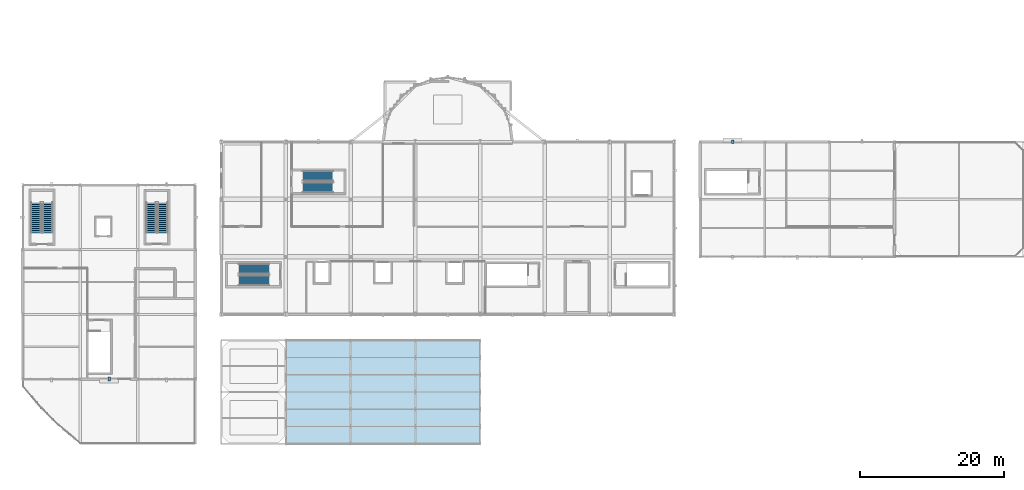
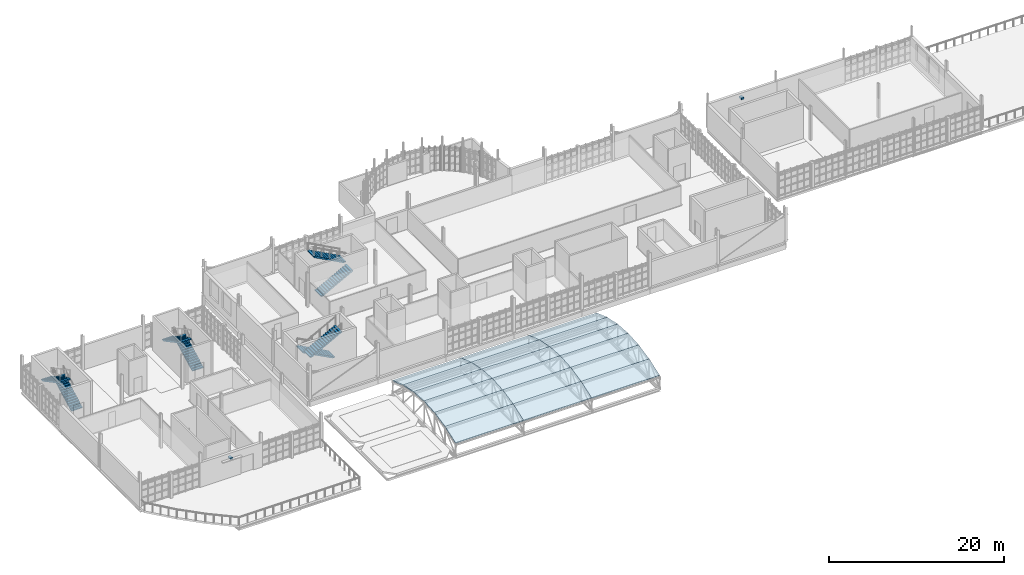
# One storey, part 119 of 128: 18 roofs, 8 stair flights, 2 discrete accessories, 4 elements without a shape of their own.
"""IFC4 building model written with IfcOpenShell, lengths in metres."""

from ifc_helpers import new_model, si_unit, direction, frame, origin, origin_2d, place, context, subcontext, project, spatial, polyline, rectangle, outline, extrude, material, layer, layer_set, type_object, element, aggregate, save


model = new_model("IFC4")

# Units and contexts
model_context = context("Model", 3, precision=1e-05, world=origin(), true_north=direction((0.0, 1.0)))
body_context = subcontext(model_context, "Body", "Model", "MODEL_VIEW")
ifc_project = project(units=[si_unit("LENGTHUNIT", "METRE"), si_unit("AREAUNIT", "SQUARE_METRE"), si_unit("VOLUMEUNIT", "CUBIC_METRE"), si_unit("PLANEANGLEUNIT", "RADIAN"), si_unit("MASSUNIT", "GRAM", prefix="KILO")], contexts=[model_context])

# Site, building, storey
site_placement = place(None, origin())
site = spatial("IfcSite", under=ifc_project, at=site_placement, CompositionType="ELEMENT")
building_placement = place(site_placement, origin())
building = spatial("IfcBuilding", under=site, at=building_placement, Name="Serraforn Aerial Cableway Station", CompositionType="ELEMENT")
storey_placement = place(building_placement, frame((0.0, 0.0, 9.0)))
storey = spatial("IfcBuildingStorey", under=building, at=storey_placement, Name="L02", CompositionType="ELEMENT", Elevation=9.0)

# Stair, stair flights
ifc_material_1 = material(Name="Concrete C35/45", Category="concrete")
stair_type_1 = type_object("IfcStairType", Name="STR-DL-1", PredefinedType="HALF_TURN_STAIR", material=ifc_material_1)
stair_1_placement = place(storey_placement, origin())
stair_1 = element("IfcStair", 1, at=stair_1_placement, inside=storey, type_object=stair_type_1, Name="L02 West Wing North Exit Stair 1", PredefinedType="HALF_TURN_STAIR")
stair_flight_type_1 = type_object("IfcStairFlightType", Name="SFL-DL-1", PredefinedType="STRAIGHT", material=ifc_material_1)
stair_flight_1_placement = place(storey_placement, frame((3.47509765625, 29.35009765625, 0.0), z_axis=(0.0, 0.0, 1.0), x_axis=(0.0, 1.0, 0.0)))
stair_flight_1 = element("IfcStairFlight", 2, at=stair_flight_1_placement, type_object=stair_flight_type_1, Name="ST-01 flight 1", NumberOfRisers=16, NumberOfTreads=15, PredefinedType="STRAIGHT", RiserHeight=0.15, TreadLength=0.28, context=body_context, shape_type="SweptSolid", body=[
    extrude(outline(polyline([(0.0, 0.0), (0.0, 0.14990234375), (0.280029296875, 0.14990234375), (0.280029296875, 0.300048828125), (0.56005859375, 0.300048828125), (0.56005859375, 0.449951171875), (0.840087890625, 0.449951171875), (0.840087890625, 0.60009765625), (1.1201171875, 0.60009765625), (1.1201171875, 0.75), (1.39990234375, 0.75), (1.39990234375, 0.89990234375), (1.679931640625, 0.89990234375), (1.679931640625, 1.050048828125), (1.9599609375, 1.050048828125), (1.9599609375, 1.199951171875), (2.239990234375, 1.199951171875), (2.239990234375, 1.35009765625), (2.52001953125, 1.35009765625), (2.52001953125, 1.5), (2.800048828125, 1.5), (2.800048828125, 1.64990234375), (3.080078125, 1.64990234375), (3.080078125, 1.800048828125), (3.360107421875, 1.800048828125), (3.360107421875, 1.949951171875), (3.639892578125, 1.949951171875), (3.639892578125, 2.10009765625), (3.919921875, 2.10009765625), (3.919921875, 2.25), (4.199951171875, 2.25), (4.199951171875, 2.39990234375), (4.199951171875, 2.079833984375), (0.3173828125, 0.0), (0.0, 0.0)])), frame((0.0, 0.72509765625, 0.0), z_axis=(0.0, -1.0, 0.0), x_axis=(1.0, 0.0, 0.0)), (0.0, 0.0, 1.0), 1.449951171875),
])
stair_flight_2_placement = place(storey_placement, frame((1.864990234375, 33.550048828125, 2.39990234375), z_axis=(0.0, 0.0, 1.0), x_axis=(0.0, -1.0, 0.0)))
stair_flight_2 = element("IfcStairFlight", 3, at=stair_flight_2_placement, type_object=stair_flight_type_1, Name="ST-01 flight 2", NumberOfRisers=16, NumberOfTreads=15, PredefinedType="STRAIGHT", RiserHeight=0.15, TreadLength=0.28, context=body_context, shape_type="SweptSolid", body=[
    extrude(outline(polyline([(0.0, 0.0), (0.0, 0.14990234375), (0.280029296875, 0.14990234375), (0.280029296875, 0.300048828125), (0.56005859375, 0.300048828125), (0.56005859375, 0.449951171875), (0.840087890625, 0.449951171875), (0.840087890625, 0.60009765625), (1.1201171875, 0.60009765625), (1.1201171875, 0.75), (1.39990234375, 0.75), (1.39990234375, 0.89990234375), (1.679931640625, 0.89990234375), (1.679931640625, 1.050048828125), (1.9599609375, 1.050048828125), (1.9599609375, 1.199951171875), (2.239990234375, 1.199951171875), (2.239990234375, 1.35009765625), (2.52001953125, 1.35009765625), (2.52001953125, 1.5), (2.800048828125, 1.5), (2.800048828125, 1.64990234375), (3.080078125, 1.64990234375), (3.080078125, 1.800048828125), (3.360107421875, 1.800048828125), (3.360107421875, 1.949951171875), (3.639892578125, 1.949951171875), (3.639892578125, 2.10009765625), (3.919921875, 2.10009765625), (3.919921875, 2.25), (4.199951171875, 2.25), (4.199951171875, 2.39990234375), (4.199951171875, 2.079833984375), (0.3173828125, 0.0), (0.0, 0.0)])), frame((0.0, 0.72509765625, 0.0), z_axis=(0.0, -1.0, 0.0), x_axis=(1.0, 0.0, 0.0)), (0.0, 0.0, 1.0), 1.449951171875),
])
aggregate(stair_1, [stair_flight_1, stair_flight_2])

stair_2_placement = place(storey_placement, origin())
stair_2 = element("IfcStair", 4, at=stair_2_placement, inside=storey, type_object=stair_type_1, Name="L02 Vault West Protected Exit Stair 3", PredefinedType="HALF_TURN_STAIR")
stair_flight_3_placement = place(storey_placement, frame((34.25, 24.3349609375, 0.0), z_axis=(0.0, 0.0, 1.0), x_axis=(-1.0, 0.0, 0.0)))
stair_flight_3 = element("IfcStairFlight", 5, at=stair_flight_3_placement, type_object=stair_flight_type_1, Name="ST-03 flight 1", NumberOfRisers=16, NumberOfTreads=15, PredefinedType="STRAIGHT", RiserHeight=0.15, TreadLength=0.28, context=body_context, shape_type="SweptSolid", body=[
    extrude(outline(polyline([(0.0, 0.0), (0.0, 0.14990234375), (0.280029296875, 0.14990234375), (0.280029296875, 0.300048828125), (0.56005859375, 0.300048828125), (0.56005859375, 0.449951171875), (0.840087890625, 0.449951171875), (0.840087890625, 0.60009765625), (1.1201171875, 0.60009765625), (1.1201171875, 0.75), (1.39990234375, 0.75), (1.39990234375, 0.89990234375), (1.679931640625, 0.89990234375), (1.679931640625, 1.050048828125), (1.9599609375, 1.050048828125), (1.9599609375, 1.199951171875), (2.239990234375, 1.199951171875), (2.239990234375, 1.35009765625), (2.52001953125, 1.35009765625), (2.52001953125, 1.5), (2.800048828125, 1.5), (2.800048828125, 1.64990234375), (3.080078125, 1.64990234375), (3.080078125, 1.800048828125), (3.360107421875, 1.800048828125), (3.360107421875, 1.949951171875), (3.639892578125, 1.949951171875), (3.639892578125, 2.10009765625), (3.919921875, 2.10009765625), (3.919921875, 2.25), (4.199951171875, 2.25), (4.199951171875, 2.39990234375), (4.199951171875, 2.079833984375), (0.3173828125, 0.0), (0.0, 0.0)])), frame((0.0, 0.72509765625, 0.0), z_axis=(0.0, -1.0, 0.0), x_axis=(1.0, 0.0, 0.0)), (0.0, 0.0, 1.0), 1.449951171875),
])
stair_flight_4_placement = place(storey_placement, frame((30.050048828125, 22.72509765625, 2.39990234375), z_axis=(0.0, 0.0, 1.0), x_axis=(1.0, 0.0, 0.0)))
stair_flight_4 = element("IfcStairFlight", 6, at=stair_flight_4_placement, type_object=stair_flight_type_1, Name="ST-03 flight 2", NumberOfRisers=16, NumberOfTreads=15, PredefinedType="STRAIGHT", RiserHeight=0.15, TreadLength=0.28, context=body_context, shape_type="SweptSolid", body=[
    extrude(outline(polyline([(0.0, 0.0), (0.0, 0.14990234375), (0.280029296875, 0.14990234375), (0.280029296875, 0.300048828125), (0.56005859375, 0.300048828125), (0.56005859375, 0.449951171875), (0.840087890625, 0.449951171875), (0.840087890625, 0.60009765625), (1.1201171875, 0.60009765625), (1.1201171875, 0.75), (1.39990234375, 0.75), (1.39990234375, 0.89990234375), (1.679931640625, 0.89990234375), (1.679931640625, 1.050048828125), (1.9599609375, 1.050048828125), (1.9599609375, 1.199951171875), (2.239990234375, 1.199951171875), (2.239990234375, 1.35009765625), (2.52001953125, 1.35009765625), (2.52001953125, 1.5), (2.800048828125, 1.5), (2.800048828125, 1.64990234375), (3.080078125, 1.64990234375), (3.080078125, 1.800048828125), (3.360107421875, 1.800048828125), (3.360107421875, 1.949951171875), (3.639892578125, 1.949951171875), (3.639892578125, 2.10009765625), (3.919921875, 2.10009765625), (3.919921875, 2.25), (4.199951171875, 2.25), (4.199951171875, 2.39990234375), (4.199951171875, 2.079833984375), (0.3173828125, 0.0), (0.0, 0.0)])), frame((0.0, 0.72509765625, 0.0), z_axis=(0.0, -1.0, 0.0), x_axis=(1.0, 0.0, 0.0)), (0.0, 0.0, 1.0), 1.449951171875),
])
aggregate(stair_2, [stair_flight_3, stair_flight_4])

stair_type_2 = type_object("IfcStairType", Name="STR-DL-2", PredefinedType="HALF_TURN_STAIR", material=ifc_material_1)
stair_3_placement = place(storey_placement, origin())
stair_3 = element("IfcStair", 7, at=stair_3_placement, inside=storey, type_object=stair_type_2, Name="L02 West Wing East Exit Stair 2", PredefinedType="HALF_TURN_STAIR")
stair_flight_type_2 = type_object("IfcStairFlightType", Name="SFL-DL-2", PredefinedType="STRAIGHT", material=ifc_material_1)
stair_flight_5_placement = place(storey_placement, frame((19.47509765625, 29.35009765625, 0.0), z_axis=(0.0, 0.0, 1.0), x_axis=(0.0, 1.0, 0.0)))
stair_flight_5 = element("IfcStairFlight", 8, at=stair_flight_5_placement, type_object=stair_flight_type_2, Name="ST-02 flight 1", NumberOfRisers=16, NumberOfTreads=15, PredefinedType="STRAIGHT", RiserHeight=0.15, TreadLength=0.28, context=body_context, shape_type="SweptSolid", body=[
    extrude(outline(polyline([(0.0, 0.0), (0.0, 0.14990234375), (0.280029296875, 0.14990234375), (0.280029296875, 0.300048828125), (0.56005859375, 0.300048828125), (0.56005859375, 0.449951171875), (0.840087890625, 0.449951171875), (0.840087890625, 0.60009765625), (1.1201171875, 0.60009765625), (1.1201171875, 0.75), (1.39990234375, 0.75), (1.39990234375, 0.89990234375), (1.679931640625, 0.89990234375), (1.679931640625, 1.050048828125), (1.9599609375, 1.050048828125), (1.9599609375, 1.199951171875), (2.239990234375, 1.199951171875), (2.239990234375, 1.35009765625), (2.52001953125, 1.35009765625), (2.52001953125, 1.5), (2.800048828125, 1.5), (2.800048828125, 1.64990234375), (3.080078125, 1.64990234375), (3.080078125, 1.800048828125), (3.360107421875, 1.800048828125), (3.360107421875, 1.949951171875), (3.639892578125, 1.949951171875), (3.639892578125, 2.10009765625), (3.919921875, 2.10009765625), (3.919921875, 2.25), (4.199951171875, 2.25), (4.199951171875, 2.39990234375), (4.199951171875, 2.079833984375), (0.3173828125, 0.0), (0.0, 0.0)])), frame((0.0, 0.72509765625, 0.0), z_axis=(0.0, -1.0, 0.0), x_axis=(1.0, 0.0, 0.0)), (0.0, 0.0, 1.0), 1.449951171875),
])
stair_flight_6_placement = place(storey_placement, frame((17.864990234375, 33.550048828125, 2.39990234375), z_axis=(0.0, 0.0, 1.0), x_axis=(0.0, -1.0, 0.0)))
stair_flight_6 = element("IfcStairFlight", 9, at=stair_flight_6_placement, type_object=stair_flight_type_2, Name="ST-02 flight 2", NumberOfRisers=16, NumberOfTreads=15, PredefinedType="STRAIGHT", RiserHeight=0.15, TreadLength=0.28, context=body_context, shape_type="SweptSolid", body=[
    extrude(outline(polyline([(0.0, 0.0), (0.0, 0.14990234375), (0.280029296875, 0.14990234375), (0.280029296875, 0.300048828125), (0.56005859375, 0.300048828125), (0.56005859375, 0.449951171875), (0.840087890625, 0.449951171875), (0.840087890625, 0.60009765625), (1.1201171875, 0.60009765625), (1.1201171875, 0.75), (1.39990234375, 0.75), (1.39990234375, 0.89990234375), (1.679931640625, 0.89990234375), (1.679931640625, 1.050048828125), (1.9599609375, 1.050048828125), (1.9599609375, 1.199951171875), (2.239990234375, 1.199951171875), (2.239990234375, 1.35009765625), (2.52001953125, 1.35009765625), (2.52001953125, 1.5), (2.800048828125, 1.5), (2.800048828125, 1.64990234375), (3.080078125, 1.64990234375), (3.080078125, 1.800048828125), (3.360107421875, 1.800048828125), (3.360107421875, 1.949951171875), (3.639892578125, 1.949951171875), (3.639892578125, 2.10009765625), (3.919921875, 2.10009765625), (3.919921875, 2.25), (4.199951171875, 2.25), (4.199951171875, 2.39990234375), (4.199951171875, 2.079833984375), (0.3173828125, 0.0), (0.0, 0.0)])), frame((0.0, 0.72509765625, 0.0), z_axis=(0.0, -1.0, 0.0), x_axis=(1.0, 0.0, 0.0)), (0.0, 0.0, 1.0), 1.449951171875),
])
aggregate(stair_3, [stair_flight_5, stair_flight_6])

stair_4_placement = place(storey_placement, origin())
stair_4 = element("IfcStair", 10, at=stair_4_placement, inside=storey, type_object=stair_type_2, Name="L02 Vault Central West Exit Stair 4", PredefinedType="HALF_TURN_STAIR")
stair_flight_7_placement = place(storey_placement, frame((38.949951171875, 35.625, 0.0), z_axis=(0.0, 0.0, 1.0), x_axis=(1.0, 0.0, 0.0)))
stair_flight_7 = element("IfcStairFlight", 11, at=stair_flight_7_placement, type_object=stair_flight_type_2, Name="ST-04 flight 1", NumberOfRisers=16, NumberOfTreads=15, PredefinedType="STRAIGHT", RiserHeight=0.15, TreadLength=0.28, context=body_context, shape_type="SweptSolid", body=[
    extrude(outline(polyline([(0.0, 0.0), (0.0, 0.14990234375), (0.280029296875, 0.14990234375), (0.280029296875, 0.300048828125), (0.56005859375, 0.300048828125), (0.56005859375, 0.449951171875), (0.840087890625, 0.449951171875), (0.840087890625, 0.60009765625), (1.1201171875, 0.60009765625), (1.1201171875, 0.75), (1.39990234375, 0.75), (1.39990234375, 0.89990234375), (1.679931640625, 0.89990234375), (1.679931640625, 1.050048828125), (1.9599609375, 1.050048828125), (1.9599609375, 1.199951171875), (2.239990234375, 1.199951171875), (2.239990234375, 1.35009765625), (2.52001953125, 1.35009765625), (2.52001953125, 1.5), (2.800048828125, 1.5), (2.800048828125, 1.64990234375), (3.080078125, 1.64990234375), (3.080078125, 1.800048828125), (3.360107421875, 1.800048828125), (3.360107421875, 1.949951171875), (3.639892578125, 1.949951171875), (3.639892578125, 2.10009765625), (3.919921875, 2.10009765625), (3.919921875, 2.25), (4.199951171875, 2.25), (4.199951171875, 2.39990234375), (4.199951171875, 2.079833984375), (0.3173828125, 0.0), (0.0, 0.0)])), frame((0.0, 0.72509765625, 0.0), z_axis=(0.0, -1.0, 0.0), x_axis=(1.0, 0.0, 0.0)), (0.0, 0.0, 1.0), 1.449951171875),
])
stair_flight_8_placement = place(storey_placement, frame((43.14990234375, 37.235107421875, 2.39990234375), z_axis=(0.0, 0.0, 1.0), x_axis=(-1.0, 0.0, 0.0)))
stair_flight_8 = element("IfcStairFlight", 12, at=stair_flight_8_placement, type_object=stair_flight_type_2, Name="ST-04 flight 2", NumberOfRisers=16, NumberOfTreads=15, PredefinedType="STRAIGHT", RiserHeight=0.15, TreadLength=0.28, context=body_context, shape_type="SweptSolid", body=[
    extrude(outline(polyline([(0.0, 0.0), (0.0, 0.14990234375), (0.280029296875, 0.14990234375), (0.280029296875, 0.300048828125), (0.56005859375, 0.300048828125), (0.56005859375, 0.449951171875), (0.840087890625, 0.449951171875), (0.840087890625, 0.60009765625), (1.1201171875, 0.60009765625), (1.1201171875, 0.75), (1.39990234375, 0.75), (1.39990234375, 0.89990234375), (1.679931640625, 0.89990234375), (1.679931640625, 1.050048828125), (1.9599609375, 1.050048828125), (1.9599609375, 1.199951171875), (2.239990234375, 1.199951171875), (2.239990234375, 1.35009765625), (2.52001953125, 1.35009765625), (2.52001953125, 1.5), (2.800048828125, 1.5), (2.800048828125, 1.64990234375), (3.080078125, 1.64990234375), (3.080078125, 1.800048828125), (3.360107421875, 1.800048828125), (3.360107421875, 1.949951171875), (3.639892578125, 1.949951171875), (3.639892578125, 2.10009765625), (3.919921875, 2.10009765625), (3.919921875, 2.25), (4.199951171875, 2.25), (4.199951171875, 2.39990234375), (4.199951171875, 2.079833984375), (0.3173828125, 0.0), (0.0, 0.0)])), frame((0.0, 0.72509765625, 0.0), z_axis=(0.0, -1.0, 0.0), x_axis=(1.0, 0.0, 0.0)), (0.0, 0.0, 1.0), 1.449951171875),
])
aggregate(stair_4, [stair_flight_7, stair_flight_8])

# Roofs
ifc_material_2 = material(Name="Standing-seam patinated copper roofing")
ifc_layer_1 = layer(ifc_material_2, 0.199951171875)
ifc_layer_set_1 = layer_set([ifc_layer_1], Name="Standing-seam patinated copper roofing")
roof_type = type_object("IfcRoofType", Name="ROOF-BARREL-CONC", PredefinedType="BARREL_ROOF", material=ifc_layer_set_1)
roof_1_placement = place(storey_placement, frame((36.60009765625, 0.0, 1.574951171875), z_axis=(0.0, -0.327995012988, 0.944679454342), x_axis=(1.0, 0.0, 0.0)))
element("IfcRoof", 13, at=roof_1_placement, inside=storey, type_object=roof_type, Name="Concourse Barrel Vault Shell 1-1", PredefinedType="BARREL_ROOF", context=body_context, shape_type="SweptSolid", body=[
    extrude(outline(polyline([(0.0, 0.0), (9.0, 0.0), (9.0, 2.540440921754208), (0.0, 2.540440921754208), (0.0, 0.0)])), origin(), (0.0, 0.0, -1.0), 0.159912109375),
])
roof_2_placement = place(storey_placement, frame((36.60009765625, 2.39990234375, 2.408203125), z_axis=(0.0, -0.203942324234, 0.978982905053), x_axis=(1.0, 0.0, 0.0)))
element("IfcRoof", 14, at=roof_2_placement, inside=storey, type_object=roof_type, Name="Concourse Barrel Vault Shell 1-2", PredefinedType="BARREL_ROOF", context=body_context, shape_type="SweptSolid", body=[
    extrude(outline(polyline([(0.0, 0.0), (9.0, 0.0), (9.0, 2.45167353994321), (0.0, 2.45167353994321), (0.0, 0.0)])), origin(), (0.0, 0.0, -1.0), 0.159912109375),
])
roof_3_placement = place(storey_placement, frame((36.60009765625, 4.800048828125, 2.908203125), z_axis=(0.0, -0.069314070011, 0.997594887566), x_axis=(1.0, 0.0, 0.0)))
element("IfcRoof", 15, at=roof_3_placement, inside=storey, type_object=roof_type, Name="Concourse Barrel Vault Shell 1-3", PredefinedType="BARREL_ROOF", context=body_context, shape_type="SweptSolid", body=[
    extrude(outline(polyline([(0.0, 0.0), (9.0, 0.0), (9.0, 2.4056882945787823), (0.0, 2.4056882945787823), (0.0, 0.0)])), origin(), (0.0, 0.0, -1.0), 0.159912109375),
])
roof_4_placement = place(storey_placement, frame((45.60009765625, 9.60009765625, 2.908203125), z_axis=(0.0, 0.069307053318, 0.99759537507), x_axis=(-1.0, 0.0, 0.0)))
element("IfcRoof", 16, at=roof_4_placement, inside=storey, type_object=roof_type, Name="Concourse Barrel Vault Shell 1-4", PredefinedType="BARREL_ROOF", context=body_context, shape_type="SweptSolid", body=[
    extrude(outline(polyline([(0.0, 0.0), (9.0, 0.0), (9.0, 2.405931848077642), (0.0, 2.405931848077642), (0.0, 0.0)])), origin(), (0.0, 0.0, -1.0), 0.159912109375),
])
roof_5_placement = place(storey_placement, frame((45.60009765625, 12.0, 2.408203125), z_axis=(0.0, 0.203962208122, 0.978978762618), x_axis=(-1.0, 0.0, 0.0)))
element("IfcRoof", 17, at=roof_5_placement, inside=storey, type_object=roof_type, Name="Concourse Barrel Vault Shell 1-5", PredefinedType="BARREL_ROOF", context=body_context, shape_type="SweptSolid", body=[
    extrude(outline(polyline([(0.0, 0.0), (9.0, 0.0), (9.0, 2.45143453095055), (0.0, 2.45143453095055), (0.0, 0.0)])), origin(), (0.0, 0.0, -1.0), 0.159912109375),
])
for number, where, z_axis, x_axis, name in (
    (18, (45.60009765625, 14.39990234375, 1.574951171875), (0.0, 0.327995012988, 0.944679454342), (-1.0, 0.0, 0.0), "Concourse Barrel Vault Shell 1-6"),
    (19, (45.60009765625, 0.0, 1.574951171875), (0.0, -0.327995012988, 0.944679454342), (1.0, 0.0, 0.0), "Concourse Barrel Vault Shell 2-1"),
):
    element("IfcRoof", number, at=place(storey_placement, frame(where, z_axis=z_axis, x_axis=x_axis)), inside=storey, type_object=roof_type, Name=name, PredefinedType="BARREL_ROOF", context=body_context, shape_type="SweptSolid", body=[
        extrude(outline(polyline([(0.0, 0.0), (9.0, 0.0), (9.0, 2.540440921754208), (0.0, 2.540440921754208), (0.0, 0.0)])), origin(), (0.0, 0.0, -1.0), 0.159912109375),
    ])
roof_6_placement = place(storey_placement, frame((45.60009765625, 2.39990234375, 2.408203125), z_axis=(0.0, -0.203942324234, 0.978982905053), x_axis=(1.0, 0.0, 0.0)))
element("IfcRoof", 20, at=roof_6_placement, inside=storey, type_object=roof_type, Name="Concourse Barrel Vault Shell 2-2", PredefinedType="BARREL_ROOF", context=body_context, shape_type="SweptSolid", body=[
    extrude(outline(polyline([(0.0, 0.0), (9.0, 0.0), (9.0, 2.45167353994321), (0.0, 2.45167353994321), (0.0, 0.0)])), origin(), (0.0, 0.0, -1.0), 0.159912109375),
])
roof_7_placement = place(storey_placement, frame((45.60009765625, 4.800048828125, 2.908203125), z_axis=(0.0, -0.069314070011, 0.997594887566), x_axis=(1.0, 0.0, 0.0)))
element("IfcRoof", 21, at=roof_7_placement, inside=storey, type_object=roof_type, Name="Concourse Barrel Vault Shell 2-3", PredefinedType="BARREL_ROOF", context=body_context, shape_type="SweptSolid", body=[
    extrude(outline(polyline([(0.0, 0.0), (9.0, 0.0), (9.0, 2.4056882945787823), (0.0, 2.4056882945787823), (0.0, 0.0)])), origin(), (0.0, 0.0, -1.0), 0.159912109375),
])
roof_8_placement = place(storey_placement, frame((54.60009765625, 9.60009765625, 2.908203125), z_axis=(0.0, 0.069307053318, 0.99759537507), x_axis=(-1.0, 0.0, 0.0)))
element("IfcRoof", 22, at=roof_8_placement, inside=storey, type_object=roof_type, Name="Concourse Barrel Vault Shell 2-4", PredefinedType="BARREL_ROOF", context=body_context, shape_type="SweptSolid", body=[
    extrude(outline(polyline([(0.0, 0.0), (9.0, 0.0), (9.0, 2.405931848077642), (0.0, 2.405931848077642), (0.0, 0.0)])), origin(), (0.0, 0.0, -1.0), 0.159912109375),
])
roof_9_placement = place(storey_placement, frame((54.60009765625, 12.0, 2.408203125), z_axis=(0.0, 0.203962208122, 0.978978762618), x_axis=(-1.0, 0.0, 0.0)))
element("IfcRoof", 23, at=roof_9_placement, inside=storey, type_object=roof_type, Name="Concourse Barrel Vault Shell 2-5", PredefinedType="BARREL_ROOF", context=body_context, shape_type="SweptSolid", body=[
    extrude(outline(polyline([(0.0, 0.0), (9.0, 0.0), (9.0, 2.45143453095055), (0.0, 2.45143453095055), (0.0, 0.0)])), origin(), (0.0, 0.0, -1.0), 0.159912109375),
])
for number, where, z_axis, x_axis, name in (
    (24, (54.60009765625, 14.39990234375, 1.574951171875), (0.0, 0.327995012988, 0.944679454342), (-1.0, 0.0, 0.0), "Concourse Barrel Vault Shell 2-6"),
    (25, (54.60009765625, 0.0, 1.574951171875), (0.0, -0.327995012988, 0.944679454342), (1.0, 0.0, 0.0), "Concourse Barrel Vault Shell 3-1"),
):
    element("IfcRoof", number, at=place(storey_placement, frame(where, z_axis=z_axis, x_axis=x_axis)), inside=storey, type_object=roof_type, Name=name, PredefinedType="BARREL_ROOF", context=body_context, shape_type="SweptSolid", body=[
        extrude(outline(polyline([(0.0, 0.0), (9.0, 0.0), (9.0, 2.540440921754208), (0.0, 2.540440921754208), (0.0, 0.0)])), origin(), (0.0, 0.0, -1.0), 0.159912109375),
    ])
roof_10_placement = place(storey_placement, frame((54.60009765625, 2.39990234375, 2.408203125), z_axis=(0.0, -0.203942324234, 0.978982905053), x_axis=(1.0, 0.0, 0.0)))
element("IfcRoof", 26, at=roof_10_placement, inside=storey, type_object=roof_type, Name="Concourse Barrel Vault Shell 3-2", PredefinedType="BARREL_ROOF", context=body_context, shape_type="SweptSolid", body=[
    extrude(outline(polyline([(0.0, 0.0), (9.0, 0.0), (9.0, 2.45167353994321), (0.0, 2.45167353994321), (0.0, 0.0)])), origin(), (0.0, 0.0, -1.0), 0.159912109375),
])
roof_11_placement = place(storey_placement, frame((54.60009765625, 4.800048828125, 2.908203125), z_axis=(0.0, -0.069314070011, 0.997594887566), x_axis=(1.0, 0.0, 0.0)))
element("IfcRoof", 27, at=roof_11_placement, inside=storey, type_object=roof_type, Name="Concourse Barrel Vault Shell 3-3", PredefinedType="BARREL_ROOF", context=body_context, shape_type="SweptSolid", body=[
    extrude(outline(polyline([(0.0, 0.0), (9.0, 0.0), (9.0, 2.4056882945787823), (0.0, 2.4056882945787823), (0.0, 0.0)])), origin(), (0.0, 0.0, -1.0), 0.159912109375),
])
roof_12_placement = place(storey_placement, frame((63.60009765625, 9.60009765625, 2.908203125), z_axis=(0.0, 0.069307053318, 0.99759537507), x_axis=(-1.0, 0.0, 0.0)))
element("IfcRoof", 28, at=roof_12_placement, inside=storey, type_object=roof_type, Name="Concourse Barrel Vault Shell 3-4", PredefinedType="BARREL_ROOF", context=body_context, shape_type="SweptSolid", body=[
    extrude(outline(polyline([(0.0, 0.0), (9.0, 0.0), (9.0, 2.405931848077642), (0.0, 2.405931848077642), (0.0, 0.0)])), origin(), (0.0, 0.0, -1.0), 0.159912109375),
])
roof_13_placement = place(storey_placement, frame((63.60009765625, 12.0, 2.408203125), z_axis=(0.0, 0.203962208122, 0.978978762618), x_axis=(-1.0, 0.0, 0.0)))
element("IfcRoof", 29, at=roof_13_placement, inside=storey, type_object=roof_type, Name="Concourse Barrel Vault Shell 3-5", PredefinedType="BARREL_ROOF", context=body_context, shape_type="SweptSolid", body=[
    extrude(outline(polyline([(0.0, 0.0), (9.0, 0.0), (9.0, 2.45143453095055), (0.0, 2.45143453095055), (0.0, 0.0)])), origin(), (0.0, 0.0, -1.0), 0.159912109375),
])
roof_14_placement = place(storey_placement, frame((63.60009765625, 14.39990234375, 1.574951171875), z_axis=(0.0, 0.327995012988, 0.944679454342), x_axis=(-1.0, 0.0, 0.0)))
element("IfcRoof", 30, at=roof_14_placement, inside=storey, type_object=roof_type, Name="Concourse Barrel Vault Shell 3-6", PredefinedType="BARREL_ROOF", context=body_context, shape_type="SweptSolid", body=[
    extrude(outline(polyline([(0.0, 0.0), (9.0, 0.0), (9.0, 2.540440921754208), (0.0, 2.540440921754208), (0.0, 0.0)])), origin(), (0.0, 0.0, -1.0), 0.159912109375),
])

# Discrete accessories
ifc_material_3 = material(Name="Steel S355J2", Category="steel")
ifc_layer_2 = layer(ifc_material_3, 0.280029296875)
ifc_layer_set_2 = layer_set([ifc_layer_2], Name="Steel S355J2")
discrete_accessory_type = type_object("IfcDiscreteAccessoryType", Name="BRK-STEEL", PredefinedType="BRACKET", material=ifc_layer_set_2)
for number, where, z_axis, x_axis, name in (
    (31, (12.0, 9.0, 2.52978515625), (0.0, 0.0, 1.0), (1.0, 0.0, 0.0), "Sunshade Fixing Bracket 06"),
    (32, (98.699951171875, 42.0, 2.52978515625), (0.0, 0.0, 1.0), (1.0, 0.0, 0.0), "Sunshade Fixing Bracket 10"),
):
    element("IfcDiscreteAccessory", number, at=place(storey_placement, frame(where, z_axis=z_axis, x_axis=x_axis)), inside=storey, type_object=discrete_accessory_type, Name=name, PredefinedType="BRACKET", context=body_context, shape_type="SweptSolid", body=[
        extrude(rectangle(XDim=0.35009765625, YDim=0.52001953125, at=origin_2d()), origin(), (0.0, 0.0, 1.0), 0.239990234375),
    ])

save(model, "model.ifc")
